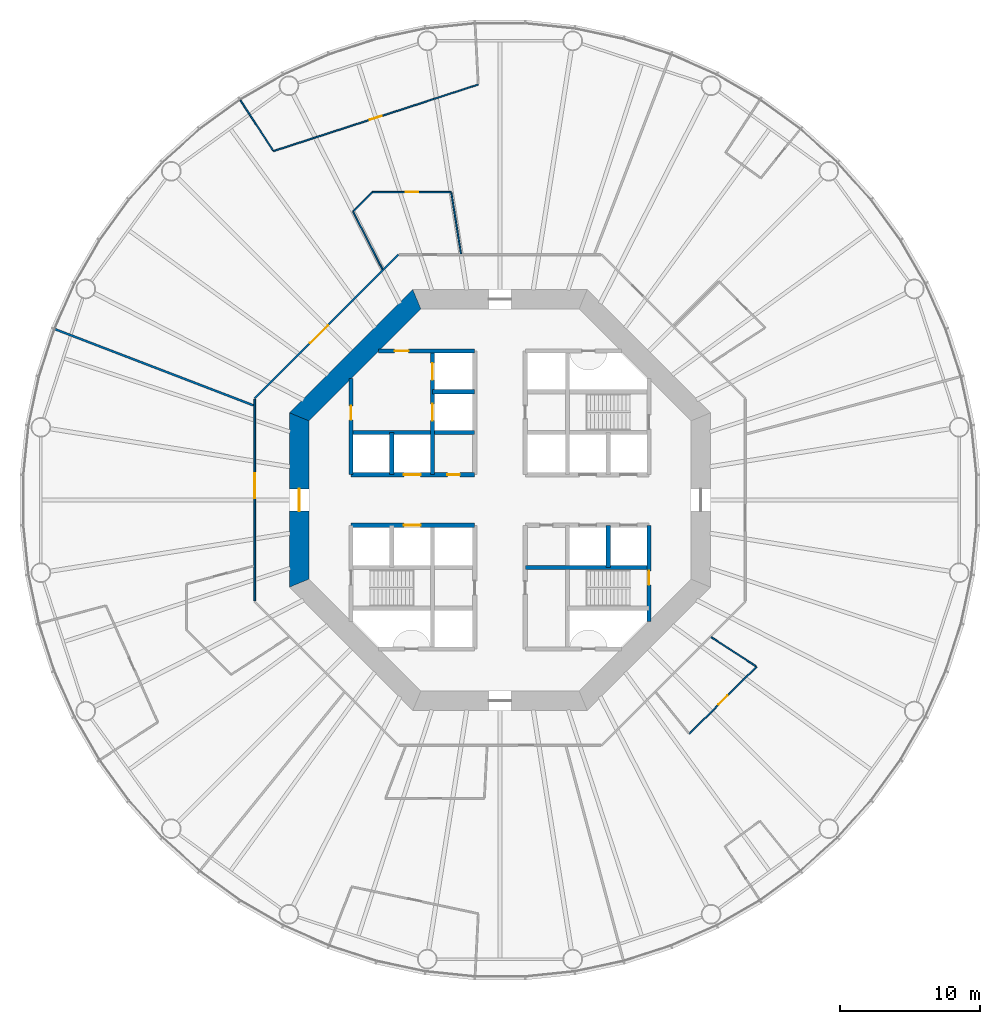
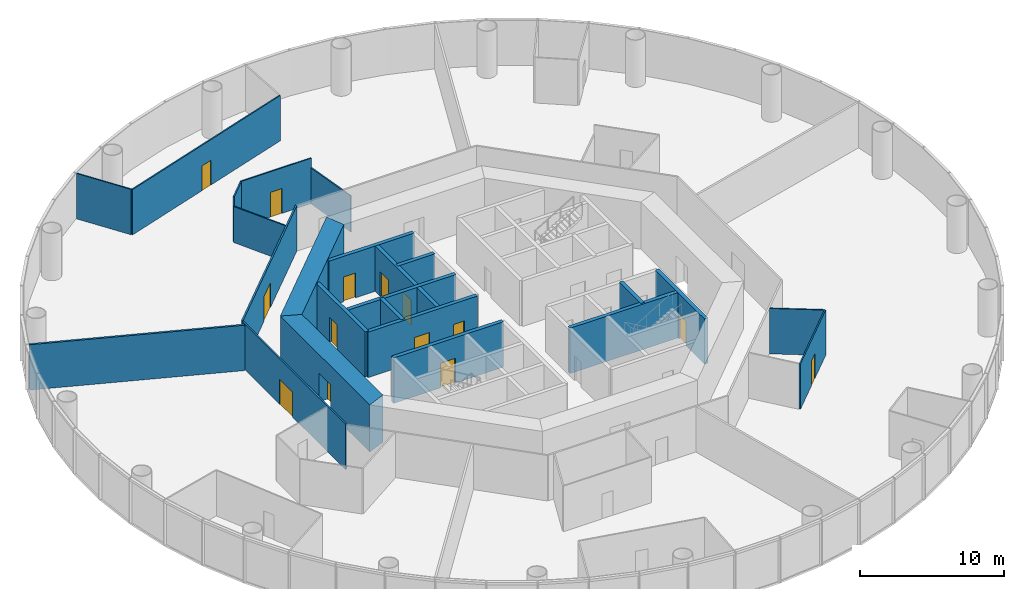
# One storey, part 4 of 13: 24 walls, 14 doors, 14 openings.
"""IFC4 building model written with IfcOpenShell, lengths in metres."""

from ifc_helpers import new_model, si_unit, direction, frame, frame_2d, origin, place, context, subcontext, project, spatial, polyline, rectangle, outline, extrude, material, layer, layer_set, type_object, element, fill, save


model = new_model("IFC4")

# Units and contexts
model_context = context("Model", 3, precision=1e-05, world=origin(), true_north=direction((0.0, 1.0)))
body_context = subcontext(model_context, "Body", "Model", "MODEL_VIEW")
ifc_project = project(units=[si_unit("LENGTHUNIT", "METRE"), si_unit("AREAUNIT", "SQUARE_METRE"), si_unit("VOLUMEUNIT", "CUBIC_METRE"), si_unit("PLANEANGLEUNIT", "RADIAN"), si_unit("MASSUNIT", "GRAM", prefix="KILO")], contexts=[model_context])

# Site, building, storey
site_placement = place(None, origin())
site = spatial("IfcSite", under=ifc_project, at=site_placement, CompositionType="ELEMENT")
building_placement = place(site_placement, origin())
building = spatial("IfcBuilding", under=site, at=building_placement, Name="Entoto Ring Tower", CompositionType="ELEMENT")
storey_placement = place(building_placement, frame((0.0, 0.0, 22.0)))
storey = spatial("IfcBuildingStorey", under=building, at=storey_placement, Name="L03", CompositionType="ELEMENT", Elevation=22.0)

# Wall, opening, door
ifc_material_1 = material(Name="Concrete C40/50", Category="concrete")
ifc_layer_1 = layer(ifc_material_1, 0.300048828125)
ifc_layer_set_1 = layer_set([ifc_layer_1], Name="Concrete C40/50")
wall_type_1 = type_object("IfcWallType", Name="Core enclosure wall 300 mm reinforced concrete", PredefinedType="SOLIDWALL", material=ifc_layer_set_1)
wall_1_placement = place(storey_placement, frame((100.60009765625, 71.36669921875, 0.0), z_axis=(0.0, 0.0, 1.0), x_axis=(0.0, 1.0, 0.0)))
wall_1 = element("IfcWall", 1, at=wall_1_placement, inside=storey, type_object=wall_type_1, Name="wall-L03-001", PredefinedType="SOLIDWALL", context=body_context, shape_type="SweptSolid", body=[
    extrude(rectangle(XDim=6.833251953125, YDim=0.300048828125, at=frame_2d((3.41650390625, 0.0))), origin(), (0.0, 0.0, 1.0), 3.85009765625),
])
opening_1_placement = place(wall_1_placement, frame((2.583251953125, 0.0, 0.0)))
opening_1 = element("IfcOpeningElement", 2, at=opening_1_placement, cuts=wall_1, Name="Opening K-59", PredefinedType="OPENING", context=body_context, shape_type="SweptSolid", body=[
    extrude(rectangle(XDim=1.0, YDim=2.10009765625, at=frame_2d((0.5, 1.050048828125))), frame((0.0, 0.16015625, 0.0), z_axis=(0.0, -1.0, 0.0), x_axis=(1.0, 0.0, 0.0)), (0.0, 0.0, 1.0), 0.320068359375),
])
ifc_material_2 = material(Name="Steel door leaf, fire rated", Category="steel")
ifc_layer_2 = layer(ifc_material_2, 0.050048828125)
ifc_layer_set_2 = layer_set([ifc_layer_2], Name="Steel door leaf, fire rated")
door_type_1 = type_object("IfcDoorType", Name="Fire door FD60 1000 x 2100 single leaf", OperationType="NOTDEFINED", PredefinedType="DOOR", material=ifc_layer_set_2)
door_1_placement = place(opening_1_placement, origin())
door_1 = element("IfcDoor", 3, at=door_1_placement, inside=storey, type_object=door_type_1, Name="Door K-59", OperationType="SINGLE_SWING_RIGHT", OverallHeight=2.10009765625, OverallWidth=1.0, PredefinedType="DOOR", context=body_context, shape_type="SweptSolid", body=[
    extrude(rectangle(XDim=1.0, YDim=2.10009765625, at=frame_2d((0.5, 1.050048828125))), frame((0.0, 0.02490234375, 0.0), z_axis=(0.0, -1.0, 0.0), x_axis=(1.0, 0.0, 0.0)), (0.0, 0.0, 1.0), 0.050048828125),
])
fill(opening_1, door_1)

# Wall
wall_2_placement = place(storey_placement, frame((97.699951171875, 75.199951171875, 0.0), z_axis=(0.0, 0.0, 1.0), x_axis=(0.0, 1.0, 0.0)))
element("IfcWall", 4, at=wall_2_placement, inside=storey, type_object=wall_type_1, Name="wall-L03-003", PredefinedType="SOLIDWALL", context=body_context, shape_type="SweptSolid", body=[
    extrude(rectangle(XDim=3.0, YDim=0.300048828125, at=frame_2d((1.5, 0.0))), origin(), (0.0, 0.0, 1.0), 3.85009765625),
])

# Wall, openings, doors
wall_3_placement = place(storey_placement, frame((85.199951171875, 81.800048828125, 0.0), z_axis=(0.0, 0.0, 1.0), x_axis=(0.0, 1.0, 0.0)))
wall_3 = element("IfcWall", 5, at=wall_3_placement, inside=storey, type_object=wall_type_1, Name="wall-L03-012", PredefinedType="SOLIDWALL", context=body_context, shape_type="SweptSolid", body=[
    extrude(rectangle(XDim=8.800048828125, YDim=0.300048828125, at=frame_2d((4.39990234375, 0.0))), origin(), (0.0, 0.0, 1.0), 3.85009765625),
])
opening_2_placement = place(wall_3_placement, frame((3.85009765625, 0.0, 0.0)))
opening_2 = element("IfcOpeningElement", 6, at=opening_2_placement, cuts=wall_3, Name="Opening LD", PredefinedType="OPENING", context=body_context, shape_type="SweptSolid", body=[
    extrude(rectangle(XDim=1.199951171875, YDim=2.10009765625, at=frame_2d((0.60009765625, 1.050048828125))), frame((0.0, 0.16015625, 0.0), z_axis=(0.0, -1.0, 0.0), x_axis=(1.0, 0.0, 0.0)), (0.0, 0.0, 1.0), 0.320068359375),
])
opening_3_placement = place(wall_3_placement, frame((6.75, 0.0, 0.0)))
opening_3 = element("IfcOpeningElement", 7, at=opening_3_placement, cuts=wall_3, Name="Opening LD", PredefinedType="OPENING", context=body_context, shape_type="SweptSolid", body=[
    extrude(rectangle(XDim=1.199951171875, YDim=2.10009765625, at=frame_2d((0.60009765625, 1.050048828125))), frame((0.0, 0.16015625, 0.0), z_axis=(0.0, -1.0, 0.0), x_axis=(1.0, 0.0, 0.0)), (0.0, 0.0, 1.0), 0.320068359375),
])
ifc_material_3 = material(Name="Steel and glass door leaf", Category="steel")
ifc_layer_3 = layer(ifc_material_3, 0.050048828125)
ifc_layer_set_3 = layer_set([ifc_layer_3], Name="Steel and glass door leaf")
door_type_2 = type_object("IfcDoorType", Name="Landing door 1200 x 2100 sliding", OperationType="DOUBLE_DOOR_SLIDING", PredefinedType="DOOR", material=ifc_layer_set_3)
door_2_placement = place(opening_2_placement, origin())
door_2 = element("IfcDoor", 8, at=door_2_placement, inside=storey, type_object=door_type_2, Name="Landing door FF1", OperationType="SLIDING_TO_RIGHT", OverallHeight=2.10009765625, OverallWidth=1.199951171875, PredefinedType="DOOR", context=body_context, shape_type="SweptSolid", body=[
    extrude(rectangle(XDim=1.199951171875, YDim=2.10009765625, at=frame_2d((0.60009765625, 1.050048828125))), frame((0.0, 0.02490234375, 0.0), z_axis=(0.0, -1.0, 0.0), x_axis=(1.0, 0.0, 0.0)), (0.0, 0.0, 1.0), 0.050048828125),
])
fill(opening_2, door_2)
door_3_placement = place(opening_3_placement, origin())
door_3 = element("IfcDoor", 9, at=door_3_placement, inside=storey, type_object=door_type_2, Name="Landing door FF2", OperationType="SLIDING_TO_RIGHT", OverallHeight=2.10009765625, OverallWidth=1.199951171875, PredefinedType="DOOR", context=body_context, shape_type="SweptSolid", body=[
    extrude(rectangle(XDim=1.199951171875, YDim=2.10009765625, at=frame_2d((0.60009765625, 1.050048828125))), frame((0.0, 0.02490234375, 0.0), z_axis=(0.0, -1.0, 0.0), x_axis=(1.0, 0.0, 0.0)), (0.0, 0.0, 1.0), 0.050048828125),
])
fill(opening_3, door_3)

# Wall
wall_4_placement = place(storey_placement, frame((82.300048828125, 81.800048828125, 0.0), z_axis=(0.0, 0.0, 1.0), x_axis=(0.0, 1.0, 0.0)))
element("IfcWall", 10, at=wall_4_placement, inside=storey, type_object=wall_type_1, Name="wall-L03-014", PredefinedType="SOLIDWALL", context=body_context, shape_type="SweptSolid", body=[
    extrude(rectangle(XDim=3.0, YDim=0.300048828125, at=frame_2d((1.5, 0.0))), origin(), (0.0, 0.0, 1.0), 3.85009765625),
])

# Wall, opening, door
wall_5_placement = place(storey_placement, frame((79.39990234375, 81.800048828125, 0.0), z_axis=(0.0, 0.0, 1.0), x_axis=(0.0, 1.0, 0.0)))
wall_5 = element("IfcWall", 11, at=wall_5_placement, inside=storey, type_object=wall_type_1, Name="wall-L03-016", PredefinedType="SOLIDWALL", context=body_context, shape_type="SweptSolid", body=[
    extrude(rectangle(XDim=6.833251953125, YDim=0.300048828125, at=frame_2d((3.41650390625, 0.0))), origin(), (0.0, 0.0, 1.0), 3.85009765625),
])
opening_4_placement = place(wall_5_placement, frame((3.89990234375, 0.0, 0.0)))
opening_4 = element("IfcOpeningElement", 12, at=opening_4_placement, cuts=wall_5, Name="Opening K-22", PredefinedType="OPENING", context=body_context, shape_type="SweptSolid", body=[
    extrude(rectangle(XDim=1.0, YDim=2.10009765625, at=frame_2d((0.5, 1.050048828125))), frame((0.0, 0.16015625, 0.0), z_axis=(0.0, -1.0, 0.0), x_axis=(1.0, 0.0, 0.0)), (0.0, 0.0, 1.0), 0.320068359375),
])
door_4_placement = place(opening_4_placement, frame((1.0, 0.0, 0.0), z_axis=(0.0, 0.0, 1.0), x_axis=(-1.0, 0.0, 0.0)))
door_4 = element("IfcDoor", 13, at=door_4_placement, inside=storey, type_object=door_type_1, Name="Door K-22", OperationType="SINGLE_SWING_LEFT", OverallHeight=2.10009765625, OverallWidth=1.0, PredefinedType="DOOR", context=body_context, shape_type="SweptSolid", body=[
    extrude(rectangle(XDim=1.0, YDim=2.10009765625, at=frame_2d((0.5, 1.050048828125))), frame((0.0, 0.02490234375, 0.0), z_axis=(0.0, -1.0, 0.0), x_axis=(1.0, 0.0, 0.0)), (0.0, 0.0, 1.0), 0.050048828125),
])
fill(opening_4, door_4)

# Wall
wall_6_placement = place(storey_placement, frame((91.800048828125, 75.199951171875, 0.0), z_axis=(0.0, 0.0, 1.0), x_axis=(1.0, 0.0, 0.0)))
element("IfcWall", 14, at=wall_6_placement, inside=storey, type_object=wall_type_1, Name="wall-L03-022", PredefinedType="SOLIDWALL", context=body_context, shape_type="SweptSolid", body=[
    extrude(rectangle(XDim=8.800048828125, YDim=0.300048828125, at=frame_2d((4.39990234375, 0.0))), origin(), (0.0, 0.0, 1.0), 3.85009765625),
])

# Wall, opening, door
wall_7_placement = place(storey_placement, frame((79.39990234375, 78.199951171875, 0.0), z_axis=(0.0, 0.0, 1.0), x_axis=(1.0, 0.0, 0.0)))
wall_7 = element("IfcWall", 15, at=wall_7_placement, inside=storey, type_object=wall_type_1, Name="wall-L03-023", PredefinedType="SOLIDWALL", context=body_context, shape_type="SweptSolid", body=[
    extrude(rectangle(XDim=8.800048828125, YDim=0.300048828125, at=frame_2d((4.39990234375, 0.0))), origin(), (0.0, 0.0, 1.0), 3.85009765625),
])
opening_5_placement = place(wall_7_placement, frame((3.75, 0.0, 0.0)))
opening_5 = element("IfcOpeningElement", 16, at=opening_5_placement, cuts=wall_7, Name="Opening LD", PredefinedType="OPENING", context=body_context, shape_type="SweptSolid", body=[
    extrude(rectangle(XDim=1.199951171875, YDim=2.10009765625, at=frame_2d((0.60009765625, 1.050048828125))), frame((0.0, 0.16015625, 0.0), z_axis=(0.0, -1.0, 0.0), x_axis=(1.0, 0.0, 0.0)), (0.0, 0.0, 1.0), 0.320068359375),
])
door_5_placement = place(opening_5_placement, origin())
door_5 = element("IfcDoor", 17, at=door_5_placement, inside=storey, type_object=door_type_2, Name="Landing door LB6-LR", OperationType="SLIDING_TO_RIGHT", OverallHeight=2.10009765625, OverallWidth=1.199951171875, PredefinedType="DOOR", context=body_context, shape_type="SweptSolid", body=[
    extrude(rectangle(XDim=1.199951171875, YDim=2.10009765625, at=frame_2d((0.60009765625, 1.050048828125))), frame((0.0, 0.02490234375, 0.0), z_axis=(0.0, -1.0, 0.0), x_axis=(1.0, 0.0, 0.0)), (0.0, 0.0, 1.0), 0.050048828125),
])
fill(opening_5, door_5)

# Wall, openings, doors
wall_8_placement = place(storey_placement, frame((79.39990234375, 81.800048828125, 0.0), z_axis=(0.0, 0.0, 1.0), x_axis=(1.0, 0.0, 0.0)))
wall_8 = element("IfcWall", 18, at=wall_8_placement, inside=storey, type_object=wall_type_1, Name="wall-L03-025", PredefinedType="SOLIDWALL", context=body_context, shape_type="SweptSolid", body=[
    extrude(rectangle(XDim=8.800048828125, YDim=0.300048828125, at=frame_2d((4.39990234375, 0.0))), origin(), (0.0, 0.0, 1.0), 3.85009765625),
])
opening_6_placement = place(wall_8_placement, frame((3.75, 0.0, 0.0)))
opening_6 = element("IfcOpeningElement", 19, at=opening_6_placement, cuts=wall_8, Name="Opening LD", PredefinedType="OPENING", context=body_context, shape_type="SweptSolid", body=[
    extrude(rectangle(XDim=1.199951171875, YDim=2.10009765625, at=frame_2d((0.60009765625, 1.050048828125))), frame((0.0, 0.16015625, 0.0), z_axis=(0.0, -1.0, 0.0), x_axis=(1.0, 0.0, 0.0)), (0.0, 0.0, 1.0), 0.320068359375),
])
opening_7_placement = place(wall_8_placement, frame((6.85009765625, 0.0, 0.0)))
opening_7 = element("IfcOpeningElement", 20, at=opening_7_placement, cuts=wall_8, Name="Opening K-14", PredefinedType="OPENING", context=body_context, shape_type="SweptSolid", body=[
    extrude(rectangle(XDim=0.89990234375, YDim=2.10009765625, at=frame_2d((0.449951171875, 1.050048828125))), frame((0.0, 0.16015625, 0.0), z_axis=(0.0, -1.0, 0.0), x_axis=(1.0, 0.0, 0.0)), (0.0, 0.0, 1.0), 0.320068359375),
])
ifc_material_4 = material(Name="Steel door leaf, fire rated", Category="steel")
ifc_layer_4 = layer(ifc_material_4, 0.050048828125)
ifc_layer_set_4 = layer_set([ifc_layer_4], Name="Steel door leaf, fire rated")
door_type_3 = type_object("IfcDoorType", Name="Core door 900 x 2100 single leaf", OperationType="NOTDEFINED", PredefinedType="DOOR", material=ifc_layer_set_4)
door_6_placement = place(opening_7_placement, frame((0.89990234375, 0.0, 0.0), z_axis=(0.0, 0.0, 1.0), x_axis=(-1.0, 0.0, 0.0)))
door_6 = element("IfcDoor", 21, at=door_6_placement, inside=storey, type_object=door_type_3, Name="Door K-14", OperationType="SINGLE_SWING_RIGHT", OverallHeight=2.10009765625, OverallWidth=0.89990234375, PredefinedType="DOOR", context=body_context, shape_type="SweptSolid", body=[
    extrude(rectangle(XDim=0.89990234375, YDim=2.10009765625, at=frame_2d((0.449951171875, 1.050048828125))), frame((0.0, 0.02490234375, 0.0), z_axis=(0.0, -1.0, 0.0), x_axis=(1.0, 0.0, 0.0)), (0.0, 0.0, 1.0), 0.050048828125),
])
fill(opening_7, door_6)
door_7_placement = place(opening_6_placement, origin())
door_7 = element("IfcDoor", 22, at=door_7_placement, inside=storey, type_object=door_type_2, Name="Landing door LB3-LR", OperationType="SLIDING_TO_RIGHT", OverallHeight=2.10009765625, OverallWidth=1.199951171875, PredefinedType="DOOR", context=body_context, shape_type="SweptSolid", body=[
    extrude(rectangle(XDim=1.199951171875, YDim=2.10009765625, at=frame_2d((0.60009765625, 1.050048828125))), frame((0.0, 0.02490234375, 0.0), z_axis=(0.0, -1.0, 0.0), x_axis=(1.0, 0.0, 0.0)), (0.0, 0.0, 1.0), 0.050048828125),
])
fill(opening_6, door_7)

# Walls
wall_9_placement = place(storey_placement, frame((79.39990234375, 84.800048828125, 0.0), z_axis=(0.0, 0.0, 1.0), x_axis=(1.0, 0.0, 0.0)))
element("IfcWall", 23, at=wall_9_placement, inside=storey, type_object=wall_type_1, Name="wall-L03-027", PredefinedType="SOLIDWALL", context=body_context, shape_type="SweptSolid", body=[
    extrude(rectangle(XDim=8.800048828125, YDim=0.300048828125, at=frame_2d((4.39990234375, 0.0))), origin(), (0.0, 0.0, 1.0), 3.85009765625),
])
wall_10_placement = place(storey_placement, frame((85.199951171875, 87.699951171875, 0.0), z_axis=(0.0, 0.0, 1.0), x_axis=(1.0, 0.0, 0.0)))
element("IfcWall", 24, at=wall_10_placement, inside=storey, type_object=wall_type_1, Name="wall-L03-029", PredefinedType="SOLIDWALL", context=body_context, shape_type="SweptSolid", body=[
    extrude(rectangle(XDim=3.0, YDim=0.300048828125, at=frame_2d((1.5, 0.0))), origin(), (0.0, 0.0, 1.0), 3.85009765625),
])

# Wall, opening, door
wall_11_placement = place(storey_placement, frame((81.36669921875, 90.60009765625, 0.0), z_axis=(0.0, 0.0, 1.0), x_axis=(1.0, 0.0, 0.0)))
wall_11 = element("IfcWall", 25, at=wall_11_placement, inside=storey, type_object=wall_type_1, Name="wall-L03-031", PredefinedType="SOLIDWALL", context=body_context, shape_type="SweptSolid", body=[
    extrude(rectangle(XDim=6.833251953125, YDim=0.300048828125, at=frame_2d((3.41650390625, 0.0))), origin(), (0.0, 0.0, 1.0), 3.85009765625),
])
opening_8_placement = place(wall_11_placement, frame((1.13330078125, 0.0, 0.0)))
opening_8 = element("IfcOpeningElement", 26, at=opening_8_placement, cuts=wall_11, Name="Opening K-23", PredefinedType="OPENING", context=body_context, shape_type="SweptSolid", body=[
    extrude(rectangle(XDim=1.0, YDim=2.10009765625, at=frame_2d((0.5, 1.050048828125))), frame((0.0, 0.16015625, 0.0), z_axis=(0.0, -1.0, 0.0), x_axis=(1.0, 0.0, 0.0)), (0.0, 0.0, 1.0), 0.320068359375),
])
door_8_placement = place(opening_8_placement, frame((1.0, 0.0, 0.0), z_axis=(0.0, 0.0, 1.0), x_axis=(-1.0, 0.0, 0.0)))
door_8 = element("IfcDoor", 27, at=door_8_placement, inside=storey, type_object=door_type_1, Name="Door K-23", OperationType="SINGLE_SWING_RIGHT", OverallHeight=2.10009765625, OverallWidth=1.0, PredefinedType="DOOR", context=body_context, shape_type="SweptSolid", body=[
    extrude(rectangle(XDim=1.0, YDim=2.10009765625, at=frame_2d((0.5, 1.050048828125))), frame((0.0, 0.02490234375, 0.0), z_axis=(0.0, -1.0, 0.0), x_axis=(1.0, 0.0, 0.0)), (0.0, 0.0, 1.0), 0.050048828125),
])
fill(opening_8, door_8)

# Wall
ifc_material_5 = material(Name="Concrete C60/75", Category="concrete")
ifc_layer_5 = layer(ifc_material_5, 1.39990234375)
ifc_layer_set_5 = layer_set([ifc_layer_5], Name="Concrete C60/75")
wall_type_2 = type_object("IfcWallType", Name="Core shear wall 1400 mm reinforced concrete C60/75", PredefinedType="SHEAR", material=ifc_layer_set_5)
wall_12_placement = place(storey_placement, frame((84.07666015625, 94.300048828125, 0.0), z_axis=(0.0, 0.0, 1.0), x_axis=(-0.707106781187, -0.707106781187, 0.0)))
element("IfcWall", 28, at=wall_12_placement, inside=storey, type_object=wall_type_2, Name="wall-L03-core-3", PredefinedType="SHEAR", context=body_context, shape_type="SweptSolid", body=[
    extrude(outline(polyline([(-0.2900390625, -0.699951171875), (12.136474609375, -0.699951171875), (11.556396484375, 0.699951171875), (0.2900390625, 0.699951171875), (-0.2900390625, -0.699951171875)])), origin(), (0.0, 0.0, 1.0), 4.0),
])

# Wall, opening, door
wall_13_placement = place(storey_placement, frame((75.699951171875, 85.92333984375, 0.0), z_axis=(0.0, 0.0, 1.0), x_axis=(0.0, -1.0, 0.0)))
wall_13 = element("IfcWall", 29, at=wall_13_placement, inside=storey, type_object=wall_type_2, Name="wall-L03-core-4", PredefinedType="SHEAR", context=body_context, shape_type="SweptSolid", body=[
    extrude(outline(polyline([(-0.2900390625, -0.699951171875), (12.13671875, -0.699951171875), (11.556640625, 0.699951171875), (0.2900390625, 0.699951171875), (-0.2900390625, -0.699951171875)])), origin(), (0.0, 0.0, 1.0), 4.0),
])
opening_9_placement = place(wall_13_placement, frame((5.123291015625, 0.0, 0.0)))
opening_9 = element("IfcOpeningElement", 30, at=opening_9_placement, cuts=wall_13, Name="Opening K-03", PredefinedType="OPENING", context=body_context, shape_type="SweptSolid", body=[
    extrude(rectangle(XDim=1.60009765625, YDim=2.39990234375, at=frame_2d((0.800048828125, 1.199951171875))), frame((0.0, 0.7099609375, 0.0), z_axis=(0.0, -1.0, 0.0), x_axis=(1.0, 0.0, 0.0)), (0.0, 0.0, 1.0), 1.419921875),
])
ifc_material_6 = material(Name="Steel door leaf, fire rated", Category="steel")
ifc_layer_6 = layer(ifc_material_6, 0.050048828125)
ifc_layer_set_6 = layer_set([ifc_layer_6], Name="Steel door leaf, fire rated")
door_type_4 = type_object("IfcDoorType", Name="Entrance door FD60 1600 x 2400 double leaf", OperationType="DOUBLE_DOOR_SINGLE_SWING", PredefinedType="DOOR", material=ifc_layer_set_6)
door_9_placement = place(opening_9_placement, origin())
door_9 = element("IfcDoor", 31, at=door_9_placement, inside=storey, type_object=door_type_4, Name="Entrance door K-03", OperationType="DOUBLE_DOOR_SINGLE_SWING", OverallHeight=2.39990234375, OverallWidth=1.60009765625, PredefinedType="DOOR", context=body_context, shape_type="SweptSolid", body=[
    extrude(rectangle(XDim=1.60009765625, YDim=2.39990234375, at=frame_2d((0.800048828125, 1.199951171875))), frame((0.0, 0.02490234375, 0.0), z_axis=(0.0, -1.0, 0.0), x_axis=(1.0, 0.0, 0.0)), (0.0, 0.0, 1.0), 0.050048828125),
])
fill(opening_9, door_9)

ifc_material_7 = material(Name="Fire-resisting plasterboard on steel studs", Category="steel")
ifc_layer_7 = layer(ifc_material_7, 0.125)
ifc_layer_set_7 = layer_set([ifc_layer_7], Name="Fire-resisting plasterboard on steel studs")
wall_type_3 = type_object("IfcWallType", Name="Corridor wall 125 mm one-hour plasterboard on steel studs", PredefinedType="PARTITIONING", material=ifc_layer_set_7)
wall_14_placement = place(storey_placement, frame((72.53759765625, 87.233154296875, 0.0), z_axis=(0.0, 0.0, 1.0), x_axis=(0.707106781187, 0.707106781187, 0.0)))
wall_14 = element("IfcWall", 32, at=wall_14_placement, inside=storey, type_object=wall_type_3, Name="partition-L03-001", PredefinedType="PARTITIONING", context=body_context, shape_type="SweptSolid", body=[
    extrude(rectangle(XDim=14.46630859375, YDim=0.125, at=frame_2d((7.233154296875, 0.0))), origin(), (0.0, 0.0, 1.0), 3.85009765625),
])
opening_10_placement = place(wall_14_placement, frame((5.5537109375, 0.0, 0.0)))
opening_10 = element("IfcOpeningElement", 33, at=opening_10_placement, cuts=wall_14, Name="Opening A02-D01", PredefinedType="OPENING", context=body_context, shape_type="SweptSolid", body=[
    extrude(rectangle(XDim=1.800048828125, YDim=2.10009765625, at=frame_2d((0.89990234375, 1.050048828125))), frame((0.0, 0.072509765625, 0.0), z_axis=(0.0, -1.0, 0.0), x_axis=(1.0, 0.0, 0.0)), (0.0, 0.0, 1.0), 0.14501953125),
])
ifc_material_8 = material(Name="Fire-resisting timber door set", Category="wood")
door_type_5 = type_object("IfcDoorType", Name="Door 1800 x 2100 double leaf FD30S fire door", OperationType="DOUBLE_DOOR_SINGLE_SWING", PredefinedType="DOOR", material=ifc_material_8)
door_10_placement = place(opening_10_placement, frame((1.800048828125, 0.0, 0.0), z_axis=(0.0, 0.0, 1.0), x_axis=(-1.0, 0.0, 0.0)))
door_10 = element("IfcDoor", 34, at=door_10_placement, inside=storey, type_object=door_type_5, Name="Door A02-D01", OperationType="DOUBLE_DOOR_SINGLE_SWING", OverallHeight=2.10009765625, OverallWidth=1.800048828125, PredefinedType="DOOR", context=body_context, shape_type="SweptSolid", body=[
    extrude(rectangle(XDim=1.800048828125, YDim=2.10009765625, at=frame_2d((0.89990234375, 1.050048828125))), frame((0.0, 0.02490234375, 0.0), z_axis=(0.0, -1.0, 0.0), x_axis=(1.0, 0.0, 0.0)), (0.0, 0.0, 1.0), 0.050048828125),
])
fill(opening_10, door_10)

wall_15_placement = place(storey_placement, frame((72.53759765625, 72.810791015625, 0.0), z_axis=(0.0, 0.0, 1.0), x_axis=(0.0, 1.0, 0.0)))
wall_15 = element("IfcWall", 35, at=wall_15_placement, inside=storey, type_object=wall_type_3, Name="partition-L03-005", PredefinedType="PARTITIONING", context=body_context, shape_type="SweptSolid", body=[
    extrude(rectangle(XDim=14.37841796875, YDim=0.125, at=frame_2d((7.189208984375, 0.0))), origin(), (0.0, 0.0, 1.0), 3.85009765625),
])
opening_11_placement = place(wall_15_placement, frame((7.30126953125, 0.0, 0.0)))
opening_11 = element("IfcOpeningElement", 36, at=opening_11_placement, cuts=wall_15, Name="Opening A02-D05", PredefinedType="OPENING", context=body_context, shape_type="SweptSolid", body=[
    extrude(rectangle(XDim=1.800048828125, YDim=2.10009765625, at=frame_2d((0.89990234375, 1.050048828125))), frame((0.0, 0.072509765625, 0.0), z_axis=(0.0, -1.0, 0.0), x_axis=(1.0, 0.0, 0.0)), (0.0, 0.0, 1.0), 0.14501953125),
])
door_11_placement = place(opening_11_placement, origin())
door_11 = element("IfcDoor", 37, at=door_11_placement, inside=storey, type_object=door_type_5, Name="Door A02-D05", OperationType="DOUBLE_DOOR_SINGLE_SWING", OverallHeight=2.10009765625, OverallWidth=1.800048828125, PredefinedType="DOOR", context=body_context, shape_type="SweptSolid", body=[
    extrude(rectangle(XDim=1.800048828125, YDim=2.10009765625, at=frame_2d((0.89990234375, 1.050048828125))), frame((0.0, 0.02490234375, 0.0), z_axis=(0.0, -1.0, 0.0), x_axis=(1.0, 0.0, 0.0)), (0.0, 0.0, 1.0), 0.050048828125),
])
fill(opening_11, door_11)

ifc_material_9 = material(Name="Plasterboard on steel studs", Category="steel")
ifc_layer_8 = layer(ifc_material_9, 0.10009765625)
ifc_layer_set_8 = layer_set([ifc_layer_8], Name="Plasterboard on steel studs")
wall_type_4 = type_object("IfcWallType", Name="Partition 100 mm plasterboard on steel studs", PredefinedType="PARTITIONING", material=ifc_layer_set_8)
wall_16_placement = place(storey_placement, frame((73.867919921875, 104.84130859375, 0.0), z_axis=(0.0, 0.0, 1.0), x_axis=(0.951054076694, 0.309024502594, 0.0)))
wall_16 = element("IfcWall", 38, at=wall_16_placement, inside=storey, type_object=wall_type_4, Name="partition-L03-014", PredefinedType="PARTITIONING", context=body_context, shape_type="SweptSolid", body=[
    extrude(rectangle(XDim=15.332275390625, YDim=0.10009765625, at=frame_2d((7.666015625, 0.0))), origin(), (0.0, 0.0, 1.0), 3.85009765625),
])
opening_12_placement = place(wall_16_placement, frame((7.21630859375, 0.0, 0.0)))
opening_12 = element("IfcOpeningElement", 39, at=opening_12_placement, cuts=wall_16, Name="Opening A02-D04", PredefinedType="OPENING", context=body_context, shape_type="SweptSolid", body=[
    extrude(rectangle(XDim=0.89990234375, YDim=2.10009765625, at=frame_2d((0.449951171875, 1.050048828125))), frame((0.0, 0.06005859375, 0.0), z_axis=(0.0, -1.0, 0.0), x_axis=(1.0, 0.0, 0.0)), (0.0, 0.0, 1.0), 0.1201171875),
])
ifc_material_10 = material(Name="Veneered timber door leaf in timber frame", Category="wood")
door_type_6 = type_object("IfcDoorType", Name="Door 900 x 2100 single leaf timber veneer", OperationType="NOTDEFINED", PredefinedType="DOOR", material=ifc_material_10)
door_12_placement = place(opening_12_placement, origin())
door_12 = element("IfcDoor", 40, at=door_12_placement, inside=storey, type_object=door_type_6, Name="Door A02-D04", OperationType="SINGLE_SWING_LEFT", OverallHeight=2.10009765625, OverallWidth=0.89990234375, PredefinedType="DOOR", context=body_context, shape_type="SweptSolid", body=[
    extrude(rectangle(XDim=0.89990234375, YDim=2.10009765625, at=frame_2d((0.449951171875, 1.050048828125))), frame((0.0, 0.02490234375, 0.0), z_axis=(0.0, -1.0, 0.0), x_axis=(1.0, 0.0, 0.0)), (0.0, 0.0, 1.0), 0.050048828125),
])
fill(opening_12, door_12)

wall_17_placement = place(storey_placement, frame((103.47998046875, 63.353759765625, 0.0), z_axis=(0.0, 0.0, 1.0), x_axis=(0.707106781187, 0.707106781187, 0.0)))
wall_17 = element("IfcWall", 41, at=wall_17_placement, inside=storey, type_object=wall_type_4, Name="partition-L03-018", PredefinedType="PARTITIONING", context=body_context, shape_type="SweptSolid", body=[
    extrude(rectangle(XDim=6.766845703125, YDim=0.10009765625, at=frame_2d((3.38330078125, 0.0))), origin(), (0.0, 0.0, 1.0), 3.85009765625),
])
opening_13_placement = place(wall_17_placement, frame((2.93359375, 0.0, 0.0)))
opening_13 = element("IfcOpeningElement", 42, at=opening_13_placement, cuts=wall_17, Name="Opening A02-D12", PredefinedType="OPENING", context=body_context, shape_type="SweptSolid", body=[
    extrude(rectangle(XDim=0.89990234375, YDim=2.10009765625, at=frame_2d((0.449951171875, 1.050048828125))), frame((0.0, 0.06005859375, 0.0), z_axis=(0.0, -1.0, 0.0), x_axis=(1.0, 0.0, 0.0)), (0.0, 0.0, 1.0), 0.1201171875),
])
door_13_placement = place(opening_13_placement, origin())
door_13 = element("IfcDoor", 43, at=door_13_placement, inside=storey, type_object=door_type_6, Name="Door A02-D12", OperationType="SINGLE_SWING_RIGHT", OverallHeight=2.10009765625, OverallWidth=0.89990234375, PredefinedType="DOOR", context=body_context, shape_type="SweptSolid", body=[
    extrude(rectangle(XDim=0.89990234375, YDim=2.10009765625, at=frame_2d((0.449951171875, 1.050048828125))), frame((0.0, 0.02490234375, 0.0), z_axis=(0.0, -1.0, 0.0), x_axis=(1.0, 0.0, 0.0)), (0.0, 0.0, 1.0), 0.050048828125),
])
fill(opening_13, door_13)

wall_18_placement = place(storey_placement, frame((80.91943359375, 101.922607421875, 0.0), z_axis=(0.0, 0.0, 1.0), x_axis=(1.0, 0.0, 0.0)))
wall_18 = element("IfcWall", 44, at=wall_18_placement, inside=storey, type_object=wall_type_4, Name="partition-L03-019", PredefinedType="PARTITIONING", context=body_context, shape_type="SweptSolid", body=[
    extrude(rectangle(XDim=5.6083984375, YDim=0.10009765625, at=frame_2d((2.80419921875, 0.0))), origin(), (0.0, 0.0, 1.0), 3.85009765625),
])
opening_14_placement = place(wall_18_placement, frame((2.354248046875, 0.0, 0.0)))
opening_14 = element("IfcOpeningElement", 45, at=opening_14_placement, cuts=wall_18, Name="Opening A02-D02", PredefinedType="OPENING", context=body_context, shape_type="SweptSolid", body=[
    extrude(rectangle(XDim=0.89990234375, YDim=2.10009765625, at=frame_2d((0.449951171875, 1.050048828125))), frame((0.0, 0.06005859375, 0.0), z_axis=(0.0, -1.0, 0.0), x_axis=(1.0, 0.0, 0.0)), (0.0, 0.0, 1.0), 0.1201171875),
])
door_14_placement = place(opening_14_placement, frame((0.89990234375, 0.0, 0.0), z_axis=(0.0, 0.0, 1.0), x_axis=(-1.0, 0.0, 0.0)))
door_14 = element("IfcDoor", 46, at=door_14_placement, inside=storey, type_object=door_type_6, Name="Door A02-D02", OperationType="SINGLE_SWING_LEFT", OverallHeight=2.10009765625, OverallWidth=0.89990234375, PredefinedType="DOOR", context=body_context, shape_type="SweptSolid", body=[
    extrude(rectangle(XDim=0.89990234375, YDim=2.10009765625, at=frame_2d((0.449951171875, 1.050048828125))), frame((0.0, 0.02490234375, 0.0), z_axis=(0.0, -1.0, 0.0), x_axis=(1.0, 0.0, 0.0)), (0.0, 0.0, 1.0), 0.050048828125),
])
fill(opening_14, door_14)

# Walls
wall_19_placement = place(storey_placement, frame((73.841552734375, 104.8818359375, 0.0), z_axis=(0.0, 0.0, 1.0), x_axis=(-0.544636766673, 0.83867204102, 0.0)))
element("IfcWall", 47, at=wall_19_placement, inside=storey, type_object=wall_type_4, Name="partition-L03-036", PredefinedType="PARTITIONING", context=body_context, shape_type="SweptSolid", body=[
    extrude(rectangle(XDim=4.27197265625, YDim=0.10009765625, at=frame_2d((2.135986328125, 0.0))), origin(), (0.0, 0.0, 1.0), 3.85009765625),
])
wall_20_placement = place(storey_placement, frame((108.213134765625, 68.172119140625, 0.0), z_axis=(0.0, 0.0, 1.0), x_axis=(-0.83867021624, 0.544639576593, 0.0)))
element("IfcWall", 48, at=wall_20_placement, inside=storey, type_object=wall_type_4, Name="partition-L03-039", PredefinedType="PARTITIONING", context=body_context, shape_type="SweptSolid", body=[
    extrude(rectangle(XDim=3.78955078125, YDim=0.10009765625, at=frame_2d((1.894775390625, 0.0))), origin(), (0.0, 0.0, 1.0), 3.85009765625),
])
wall_21_placement = place(storey_placement, frame((79.568603515625, 100.57177734375, 0.0), z_axis=(0.0, 0.0, 1.0), x_axis=(0.707106781187, 0.707106781187, 0.0)))
element("IfcWall", 49, at=wall_21_placement, inside=storey, type_object=wall_type_4, Name="partition-L03-045", PredefinedType="PARTITIONING", context=body_context, shape_type="SweptSolid", body=[
    extrude(rectangle(XDim=1.875244140625, YDim=0.10009765625, at=frame_2d((0.9375, 0.0))), origin(), (0.0, 0.0, 1.0), 3.85009765625),
])
ifc_material_11 = material(Name="Plasterboard on steel studs", Category="steel")
ifc_layer_9 = layer(ifc_material_11, 0.10009765625)
ifc_layer_set_9 = layer_set([ifc_layer_9], Name="Plasterboard on steel studs")
wall_type_5 = type_object("IfcWallType", Name="Partition 100 mm plasterboard on steel studs, 3050 mm high", PredefinedType="PARTITIONING", material=ifc_layer_set_9)
wall_22_placement = place(storey_placement, frame((81.627197265625, 96.432861328125, 0.0), z_axis=(0.0, 0.0, 1.0), x_axis=(-0.454024993682, 0.890988947806, 0.0)))
element("IfcWall", 50, at=wall_22_placement, inside=storey, type_object=wall_type_5, Name="partition-L03-024", PredefinedType="PARTITIONING", context=body_context, shape_type="SweptSolid", body=[
    extrude(rectangle(XDim=4.607666015625, YDim=0.10009765625, at=frame_2d((2.3037109375, 0.0))), origin(), (0.0, 0.0, 1.0), 3.050048828125),
])
wall_23_placement = place(storey_placement, frame((87.22314453125, 97.53271484375, 0.0), z_axis=(0.0, 0.0, 1.0), x_axis=(-0.156475987125, 0.987681763248, 0.0)))
element("IfcWall", 51, at=wall_23_placement, inside=storey, type_object=wall_type_5, Name="partition-L03-030", PredefinedType="PARTITIONING", context=body_context, shape_type="SweptSolid", body=[
    extrude(rectangle(XDim=4.395263671875, YDim=0.10009765625, at=frame_2d((2.19775390625, 0.0))), origin(), (0.0, 0.0, 1.0), 3.050048828125),
])
ifc_material_12 = material(Name="Fire-resisting acoustic plasterboard on steel studs", Category="steel")
ifc_layer_10 = layer(ifc_material_12, 0.14990234375)
ifc_layer_set_10 = layer_set([ifc_layer_10], Name="Fire-resisting acoustic plasterboard on steel studs")
wall_type_6 = type_object("IfcWallType", Name="Party wall 150 mm one-hour acoustic plasterboard on steel studs", PredefinedType="PARTITIONING", material=ifc_layer_set_10)
wall_24_placement = place(storey_placement, frame((72.4482421875, 86.737548828125, 0.0), z_axis=(0.0, 0.0, 1.0), x_axis=(-0.933580645435, 0.358367379191, 0.0)))
element("IfcWall", 52, at=wall_24_placement, inside=storey, type_object=wall_type_6, Name="partition-L03-012", PredefinedType="PARTITIONING", context=body_context, shape_type="SweptSolid", body=[
    extrude(rectangle(XDim=15.1396484375, YDim=0.14990234375, at=frame_2d((7.56982421875, 0.0))), origin(), (0.0, 0.0, 1.0), 3.85009765625),
])

save(model, "model.ifc")
